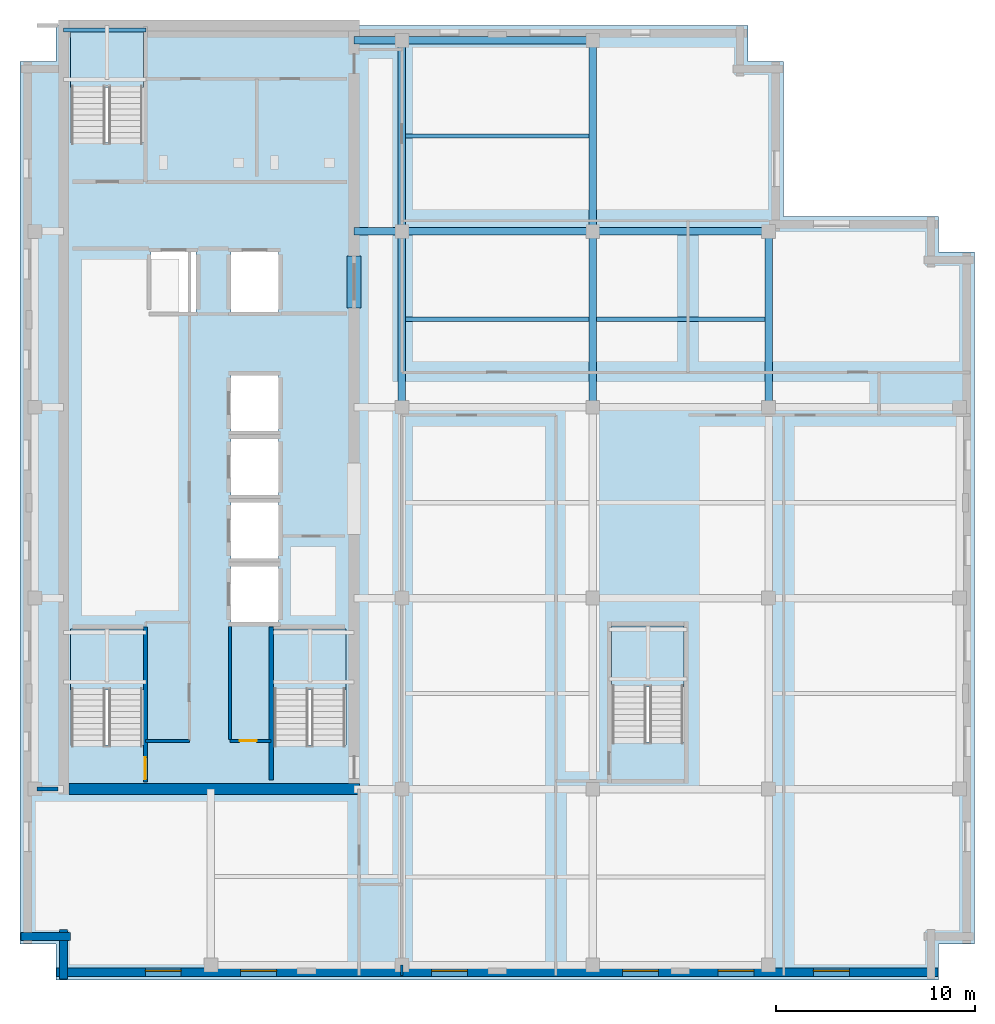
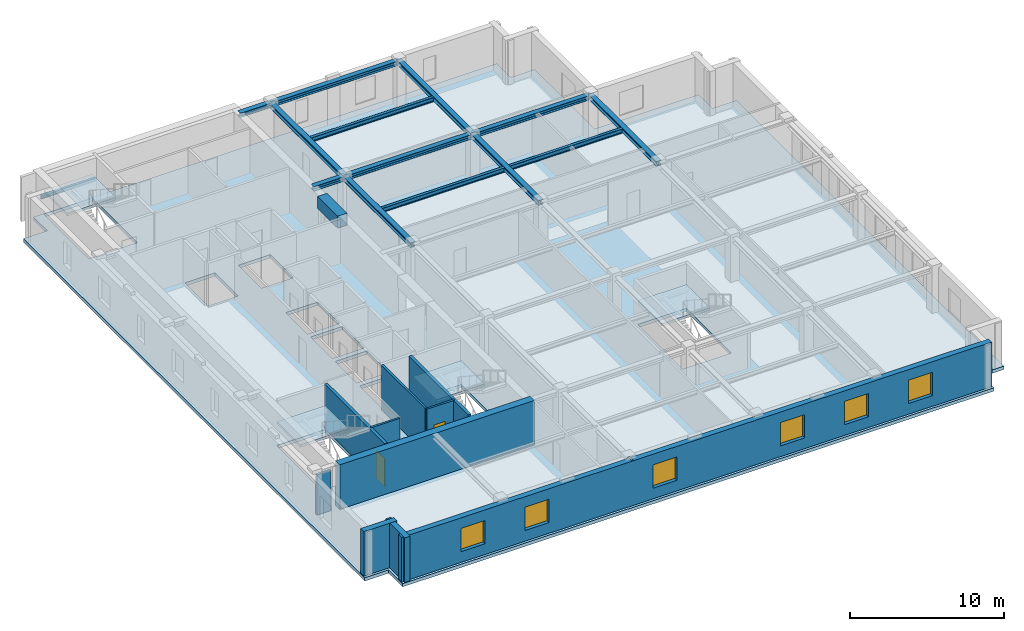
# One storey, part 2 of 10: 15 beams, 11 walls, 6 windows, 5 slabs, 2 doors, 8 openings, 4 elements without a shape of their own.
"""IFC4 building model written with IfcOpenShell, lengths in metres."""

from ifc_helpers import new_model, si_unit, direction, frame, frame_2d, origin, origin_2d, place, context, subcontext, project, spatial, polyline, rectangle, i_section, outline, extrude, material, layer, layer_set, material_profile, profile_set, type_object, element, fill, aggregate, save


model = new_model("IFC4")

# Units and contexts
model_context = context("Model", 3, precision=1e-05, world=origin(), true_north=direction((0.0, 1.0)))
body_context = subcontext(model_context, "Body", "Model", "MODEL_VIEW")
ifc_project = project(units=[si_unit("LENGTHUNIT", "METRE"), si_unit("AREAUNIT", "SQUARE_METRE"), si_unit("VOLUMEUNIT", "CUBIC_METRE"), si_unit("PLANEANGLEUNIT", "RADIAN"), si_unit("MASSUNIT", "GRAM", prefix="KILO")], contexts=[model_context])

# Site, building, storey
site_placement = place(None, origin())
site = spatial("IfcSite", under=ifc_project, at=site_placement, CompositionType="ELEMENT")
building_placement = place(site_placement, origin())
building = spatial("IfcBuilding", under=site, at=building_placement, Name="Norrvale University Quadrangle", CompositionType="ELEMENT")
storey_placement = place(building_placement, frame((0.0, 0.0, 296.199951171875)))
storey = spatial("IfcBuildingStorey", under=building, at=storey_placement, Name="L75", CompositionType="ELEMENT", Elevation=296.199951171875)

# Beams
ifc_material_1 = material(Name="Concrete C80/95", Category="concrete")
ifc_material_profile_1 = material_profile(ifc_material_1, rectangle(XDim=0.699951171875, YDim=0.949951171875, at=origin_2d()), Name="Concrete C80/95")
ifc_profile_set_1 = profile_set([ifc_material_profile_1], Name="Concrete C80/95")
beam_type_1 = type_object("IfcBeamType", Name="Beam Core Link 700x950", PredefinedType="LINTEL", material=ifc_profile_set_1)
beam_1_placement = place(storey_placement, frame((16.800048828125, 33.800048828125, 3.06494140625), z_axis=(0.0, 1.0, 0.0), x_axis=(-1.0, 0.0, 0.0)))
element("IfcBeam", 1, at=beam_1_placement, inside=storey, type_object=beam_type_1, Name="Core Coupling Lintel Beam L75-2", PredefinedType="LINTEL", context=body_context, shape_type="SweptSolid", body=[
    extrude(rectangle(XDim=0.699951171875, YDim=0.949951171875, at=origin_2d()), origin(), (0.0, 0.0, 1.0), 2.599853515625),
])
ifc_material_2 = material(Name="Steel 350W", Category="steel")
ifc_material_profile_2 = material_profile(ifc_material_2, i_section(OverallWidth=0.368896484375, OverallDepth=0.35595703125, WebThickness=0.01123046875, FlangeThickness=0.01806640625, FilletRadius=0.014892578125, at=origin_2d()), Name="Steel 350W")
ifc_profile_set_2 = profile_set([ifc_material_profile_2], Name="Steel 350W")
beam_type_2 = type_object("IfcBeamType", Name="Beam Crown W360x134", PredefinedType="BEAM", material=ifc_profile_set_2)
beam_2_placement = place(storey_placement, frame((19.199951171875, 37.64990234375, 3.362060546875), z_axis=(1.0, 0.0, 0.0), x_axis=(0.0, 1.0, 0.0)))
element("IfcBeam", 2, at=beam_2_placement, inside=storey, type_object=beam_type_2, Name="Beam Crown W360x134 BM-L75-GX013", PredefinedType="BEAM", context=body_context, shape_type="SweptSolid", body=[
    extrude(i_section(OverallWidth=0.368896484375, OverallDepth=0.35595703125, WebThickness=0.01123046875, FlangeThickness=0.01806640625, FilletRadius=0.014892578125, at=origin_2d()), origin(), (0.0, 0.0, 1.0), 9.60009765625),
])
beam_3_placement = place(storey_placement, frame((28.800048828125, 37.64990234375, 3.362060546875), z_axis=(1.0, 0.0, 0.0), x_axis=(0.0, 1.0, 0.0)))
element("IfcBeam", 3, at=beam_3_placement, inside=storey, type_object=beam_type_2, Name="Beam Crown W360x134 BM-L75-GX014", PredefinedType="BEAM", context=body_context, shape_type="SweptSolid", body=[
    extrude(i_section(OverallWidth=0.368896484375, OverallDepth=0.35595703125, WebThickness=0.01123046875, FlangeThickness=0.01806640625, FilletRadius=0.014892578125, at=origin_2d()), origin(), (0.0, 0.0, 1.0), 8.849853515625),
])
beam_4_placement = place(storey_placement, frame((19.199951171875, 47.25, 3.362060546875), z_axis=(1.0, 0.0, 0.0), x_axis=(0.0, 1.0, 0.0)))
element("IfcBeam", 4, at=beam_4_placement, inside=storey, type_object=beam_type_2, Name="Beam Crown W360x134 BM-L75-GX015", PredefinedType="BEAM", context=body_context, shape_type="SweptSolid", body=[
    extrude(i_section(OverallWidth=0.368896484375, OverallDepth=0.35595703125, WebThickness=0.01123046875, FlangeThickness=0.01806640625, FilletRadius=0.014892578125, at=origin_2d()), origin(), (0.0, 0.0, 1.0), 9.60009765625),
])
beam_5_placement = place(storey_placement, frame((19.199951171875, 28.800048828125, 3.362060546875), z_axis=(0.0, 1.0, 0.0), x_axis=(-1.0, 0.0, 0.0)))
element("IfcBeam", 5, at=beam_5_placement, inside=storey, type_object=beam_type_2, Name="Beam Crown W360x134 BM-L75-GY022", PredefinedType="BEAM", context=body_context, shape_type="SweptSolid", body=[
    extrude(i_section(OverallWidth=0.368896484375, OverallDepth=0.35595703125, WebThickness=0.01123046875, FlangeThickness=0.01806640625, FilletRadius=0.014892578125, at=origin_2d()), origin(), (0.0, 0.0, 1.0), 8.849853515625),
])
beam_6_placement = place(storey_placement, frame((19.199951171875, 37.64990234375, 3.362060546875), z_axis=(0.0, 1.0, 0.0), x_axis=(-1.0, 0.0, 0.0)))
element("IfcBeam", 6, at=beam_6_placement, inside=storey, type_object=beam_type_2, Name="Beam Crown W360x134 BM-L75-GY023", PredefinedType="BEAM", context=body_context, shape_type="SweptSolid", body=[
    extrude(i_section(OverallWidth=0.368896484375, OverallDepth=0.35595703125, WebThickness=0.01123046875, FlangeThickness=0.01806640625, FilletRadius=0.014892578125, at=origin_2d()), origin(), (0.0, 0.0, 1.0), 9.60009765625),
])
beam_7_placement = place(storey_placement, frame((28.800048828125, 28.800048828125, 3.362060546875), z_axis=(0.0, 1.0, 0.0), x_axis=(-1.0, 0.0, 0.0)))
element("IfcBeam", 7, at=beam_7_placement, inside=storey, type_object=beam_type_2, Name="Beam Crown W360x134 BM-L75-GY027", PredefinedType="BEAM", context=body_context, shape_type="SweptSolid", body=[
    extrude(i_section(OverallWidth=0.368896484375, OverallDepth=0.35595703125, WebThickness=0.01123046875, FlangeThickness=0.01806640625, FilletRadius=0.014892578125, at=origin_2d()), origin(), (0.0, 0.0, 1.0), 8.849853515625),
])
beam_8_placement = place(storey_placement, frame((28.800048828125, 37.64990234375, 3.362060546875), z_axis=(0.0, 1.0, 0.0), x_axis=(-1.0, 0.0, 0.0)))
element("IfcBeam", 8, at=beam_8_placement, inside=storey, type_object=beam_type_2, Name="Beam Crown W360x134 BM-L75-GY028", PredefinedType="BEAM", context=body_context, shape_type="SweptSolid", body=[
    extrude(i_section(OverallWidth=0.368896484375, OverallDepth=0.35595703125, WebThickness=0.01123046875, FlangeThickness=0.01806640625, FilletRadius=0.014892578125, at=origin_2d()), origin(), (0.0, 0.0, 1.0), 9.60009765625),
])
beam_9_placement = place(storey_placement, frame((37.64990234375, 28.800048828125, 3.362060546875), z_axis=(0.0, 1.0, 0.0), x_axis=(-1.0, 0.0, 0.0)))
element("IfcBeam", 9, at=beam_9_placement, inside=storey, type_object=beam_type_2, Name="Beam Crown W360x134 BM-L75-GY032", PredefinedType="BEAM", context=body_context, shape_type="SweptSolid", body=[
    extrude(i_section(OverallWidth=0.368896484375, OverallDepth=0.35595703125, WebThickness=0.01123046875, FlangeThickness=0.01806640625, FilletRadius=0.014892578125, at=origin_2d()), origin(), (0.0, 0.0, 1.0), 8.849853515625),
])
for number, where, z_axis, x_axis, name in (
    (10, (16.800048828125, 37.64990234375, 3.362060546875), (1.0, 0.0, 0.0), (0.0, 1.0, 0.0), "Beam Crown W360x134 BM-L75-GCE042"),
    (11, (16.800048828125, 47.25, 3.362060546875), (1.0, 0.0, 0.0), (0.0, 1.0, 0.0), "Beam Crown W360x134 BM-L75-GCE043"),
):
    element("IfcBeam", number, at=place(storey_placement, frame(where, z_axis=z_axis, x_axis=x_axis)), inside=storey, type_object=beam_type_2, Name=name, PredefinedType="BEAM", context=body_context, shape_type="SweptSolid", body=[
        extrude(i_section(OverallWidth=0.368896484375, OverallDepth=0.35595703125, WebThickness=0.01123046875, FlangeThickness=0.01806640625, FilletRadius=0.014892578125, at=origin_2d()), origin(), (0.0, 0.0, 1.0), 2.39990234375),
    ])
ifc_material_profile_3 = material_profile(ifc_material_2, i_section(OverallWidth=0.205078125, OverallDepth=0.35400390625, WebThickness=0.009521484375, FlangeThickness=0.016845703125, FilletRadius=0.011962890625, at=origin_2d()), Name="Steel 350W")
ifc_profile_set_3 = profile_set([ifc_material_profile_3], Name="Steel 350W")
beam_type_3 = type_object("IfcBeamType", Name="Beam Crown W360x79", PredefinedType="BEAM", material=ifc_profile_set_3)
for number, where, z_axis, x_axis, name in (
    (12, (19.384521484375, 33.22509765625, 3.363037109375), (1.0, 0.0, 0.0), (0.0, 1.0, 0.0), "Beam Crown W360x79 BM-L75-J047"),
    (13, (19.384521484375, 42.449951171875, 3.363037109375), (1.0, 0.0, 0.0), (0.0, 1.0, 0.0), "Beam Crown W360x79 BM-L75-J048"),
):
    element("IfcBeam", number, at=place(storey_placement, frame(where, z_axis=z_axis, x_axis=x_axis)), inside=storey, type_object=beam_type_3, Name=name, PredefinedType="BEAM", context=body_context, shape_type="SweptSolid", body=[
        extrude(i_section(OverallWidth=0.205078125, OverallDepth=0.35400390625, WebThickness=0.009521484375, FlangeThickness=0.016845703125, FilletRadius=0.011962890625, at=origin_2d()), origin(), (0.0, 0.0, 1.0), 9.23095703125),
    ])
beam_10_placement = place(storey_placement, frame((28.984619140625, 33.22509765625, 3.363037109375), z_axis=(1.0, 0.0, 0.0), x_axis=(0.0, 1.0, 0.0)))
element("IfcBeam", 14, at=beam_10_placement, inside=storey, type_object=beam_type_3, Name="Beam Crown W360x79 BM-L75-J051", PredefinedType="BEAM", context=body_context, shape_type="SweptSolid", body=[
    extrude(i_section(OverallWidth=0.205078125, OverallDepth=0.35400390625, WebThickness=0.009521484375, FlangeThickness=0.016845703125, FilletRadius=0.011962890625, at=origin_2d()), origin(), (0.0, 0.0, 1.0), 8.48095703125),
])
ifc_material_profile_4 = material_profile(ifc_material_2, i_section(OverallWidth=0.201904296875, OverallDepth=0.2470703125, WebThickness=0.00732421875, FlangeThickness=0.010986328125, FilletRadius=0.011962890625, at=origin_2d()), Name="Steel 350W")
ifc_profile_set_4 = profile_set([ifc_material_profile_4], Name="Steel 350W")
beam_type_4 = type_object("IfcBeamType", Name="Beam Stair W250x49", PredefinedType="BEAM", material=ifc_profile_set_4)
beam_11_placement = place(storey_placement, frame((2.199951171875, 47.77001953125, 1.57666015625), z_axis=(1.0, 0.0, 0.0), x_axis=(0.0, 1.0, 0.0)))
element("IfcBeam", 15, at=beam_11_placement, inside=storey, type_object=beam_type_4, Name="Stair Mid-Landing Rear Beam ST-02 L75", PredefinedType="BEAM", context=body_context, shape_type="SweptSolid", body=[
    extrude(i_section(OverallWidth=0.201904296875, OverallDepth=0.2470703125, WebThickness=0.00732421875, FlangeThickness=0.010986328125, FilletRadius=0.011962890625, at=origin_2d()), origin(), (0.0, 0.0, 1.0), 4.14013671875),
])

# Stair, slab
ifc_material_3 = material(Name="Concrete C40/50", Category="concrete")
stair_type = type_object("IfcStairType", Name="Stair Tower Typ 3800", PredefinedType="TWO_STRAIGHT_RUN_STAIR", material=ifc_material_3)
stair_1_placement = place(storey_placement, origin())
stair_1 = element("IfcStair", 16, at=stair_1_placement, inside=storey, type_object=stair_type, Name="Exit Stair ST-01 L75", PredefinedType="TWO_STRAIGHT_RUN_STAIR")
ifc_layer_1 = layer(ifc_material_3, 0.199951171875, Name="Concrete C40/50")
ifc_layer_set_1 = layer_set([ifc_layer_1], Name="Concrete C40/50")
slab_type_1 = type_object("IfcSlabType", Name="Slab Landing 200", PredefinedType="LANDING", material=ifc_layer_set_1)
slab_1_placement = place(storey_placement, frame((0.0, 0.0, 1.699951171875)))
slab_1 = element("IfcSlab", 17, at=slab_1_placement, type_object=slab_type_1, Name="Exit Stair ST-01 L75 Mid Landing", PredefinedType="LANDING", context=body_context, shape_type="SweptSolid", body=[
    extrude(outline(polyline([(2.550048828125, 14.590087890625), (6.199951171875, 14.590087890625), (6.199951171875, 17.64990234375), (2.550048828125, 17.64990234375), (2.550048828125, 14.590087890625)])), origin(), (0.0, 0.0, 1.0), 0.2001953125),
])
aggregate(stair_1, [slab_1])

stair_2_placement = place(storey_placement, origin())
stair_2 = element("IfcStair", 18, at=stair_2_placement, inside=storey, type_object=stair_type, Name="Exit Stair ST-02 L75", PredefinedType="TWO_STRAIGHT_RUN_STAIR")
slab_2_placement = place(storey_placement, frame((0.0, 0.0, 1.699951171875)))
slab_2 = element("IfcSlab", 19, at=slab_2_placement, type_object=slab_type_1, Name="Exit Stair ST-02 L75 Mid Landing", PredefinedType="LANDING", context=body_context, shape_type="SweptSolid", body=[
    extrude(outline(polyline([(2.550048828125, 44.889892578125), (6.199951171875, 44.889892578125), (6.199951171875, 47.949951171875), (2.550048828125, 47.949951171875), (2.550048828125, 44.889892578125)])), origin(), (0.0, 0.0, 1.0), 0.2001953125),
])
aggregate(stair_2, [slab_2])

stair_3_placement = place(storey_placement, origin())
stair_3 = element("IfcStair", 20, at=stair_3_placement, inside=storey, type_object=stair_type, Name="Exit Stair ST-03 L75", PredefinedType="TWO_STRAIGHT_RUN_STAIR")
slab_3_placement = place(storey_placement, frame((0.0, 0.0, 1.699951171875)))
slab_3 = element("IfcSlab", 21, at=slab_3_placement, type_object=slab_type_1, Name="Exit Stair ST-03 L75 Mid Landing", PredefinedType="LANDING", context=body_context, shape_type="SweptSolid", body=[
    extrude(outline(polyline([(12.75, 14.590087890625), (16.39990234375, 14.590087890625), (16.39990234375, 17.64990234375), (12.75, 17.64990234375), (12.75, 14.590087890625)])), origin(), (0.0, 0.0, 1.0), 0.2001953125),
])
aggregate(stair_3, [slab_3])

stair_4_placement = place(storey_placement, origin())
stair_4 = element("IfcStair", 22, at=stair_4_placement, inside=storey, type_object=stair_type, Name="Exit Stair ST-04 L75", PredefinedType="TWO_STRAIGHT_RUN_STAIR")
slab_4_placement = place(storey_placement, frame((0.0, 0.0, 1.699951171875)))
slab_4 = element("IfcSlab", 23, at=slab_4_placement, type_object=slab_type_1, Name="Exit Stair ST-04 L75 Mid Landing", PredefinedType="LANDING", context=body_context, shape_type="SweptSolid", body=[
    extrude(outline(polyline([(29.75, 14.739990234375), (33.39990234375, 14.739990234375), (33.39990234375, 17.800048828125), (29.75, 17.800048828125), (29.75, 14.739990234375)])), origin(), (0.0, 0.0, 1.0), 0.2001953125),
])
aggregate(stair_4, [slab_4])

# Slab
ifc_layer_2 = layer(ifc_material_3, 0.260009765625, Name="Concrete C40/50")
ifc_layer_set_2 = layer_set([ifc_layer_2], Name="Concrete C40/50")
slab_type_2 = type_object("IfcSlabType", Name="Slab Tower Typ 260", PredefinedType="FLOOR", material=ifc_layer_set_2)
slab_5_placement = place(storey_placement, frame((0.0, 0.0, -0.260009765625)))
element("IfcSlab", 24, at=slab_5_placement, inside=storey, type_object=slab_type_2, Name="Tower L75 Floor Slab", PredefinedType="FLOOR", context=body_context, shape_type="SweptSolid", body=[
    extrude(outline(polyline([(1.800048828125, 0.0), (46.199951171875, 0.0), (46.199951171875, 1.800048828125), (48.0, 1.800048828125), (48.0, 36.60009765625), (46.199951171875, 36.60009765625), (46.199951171875, 38.39990234375), (38.39990234375, 38.39990234375), (38.39990234375, 46.199951171875), (36.60009765625, 46.199951171875), (36.60009765625, 48.0), (1.800048828125, 48.0), (1.800048828125, 46.199951171875), (0.0, 46.199951171875), (0.0, 1.800048828125), (1.800048828125, 1.800048828125), (1.800048828125, 0.0)]), holes=[polyline([(2.550048828125, 11.81005859375), (6.199951171875, 11.81005859375), (6.199951171875, 17.64990234375), (2.550048828125, 17.64990234375), (2.550048828125, 11.81005859375)]), polyline([(2.550048828125, 42.110107421875), (6.199951171875, 42.110107421875), (6.199951171875, 47.949951171875), (2.550048828125, 47.949951171875), (2.550048828125, 42.110107421875)]), polyline([(12.75, 11.81005859375), (16.39990234375, 11.81005859375), (16.39990234375, 17.64990234375), (12.75, 17.64990234375), (12.75, 11.81005859375)]), polyline([(29.75, 11.9599609375), (33.39990234375, 11.9599609375), (33.39990234375, 17.800048828125), (29.75, 17.800048828125), (29.75, 11.9599609375)]), polyline([(10.60009765625, 18.0), (13.0, 18.0), (13.0, 20.800048828125), (10.60009765625, 20.800048828125), (10.60009765625, 18.0)]), polyline([(10.60009765625, 21.199951171875), (13.0, 21.199951171875), (13.0, 24.0), (10.60009765625, 24.0), (10.60009765625, 21.199951171875)]), polyline([(10.60009765625, 24.39990234375), (13.0, 24.39990234375), (13.0, 27.199951171875), (10.60009765625, 27.199951171875), (10.60009765625, 24.39990234375)]), polyline([(10.60009765625, 27.60009765625), (13.0, 27.60009765625), (13.0, 30.39990234375), (10.60009765625, 30.39990234375), (10.60009765625, 27.60009765625)]), polyline([(6.60009765625, 33.60009765625), (8.85009765625, 33.60009765625), (8.85009765625, 36.60009765625), (6.60009765625, 36.60009765625), (6.60009765625, 33.60009765625)]), polyline([(10.60009765625, 33.60009765625), (13.0, 33.60009765625), (13.0, 36.60009765625), (10.60009765625, 36.60009765625), (10.60009765625, 33.60009765625)])]), origin(), (0.0, 0.0, 1.0), 0.260009765625),
])

# Wall, openings, windows
ifc_material_4 = material(Name="Buff Norman Clay Brick Masonry", Category="masonry")
ifc_layer_3 = layer(ifc_material_4, 0.419921875, Name="Buff Norman Clay Brick Masonry")
ifc_layer_set_3 = layer_set([ifc_layer_3], Name="Buff Norman Clay Brick Masonry")
wall_type_1 = type_object("IfcWallType", Name="Wall Buff Brick 420", PredefinedType="SOLIDWALL", material=ifc_layer_set_3)
wall_1_placement = place(storey_placement, frame((1.840087890625, 0.389892578125, 0.0), z_axis=(0.0, 0.0, 1.0), x_axis=(1.0, 0.0, 0.0)))
wall_1 = element("IfcWall", 25, at=wall_1_placement, inside=storey, type_object=wall_type_1, Name="Exterior Brick Facade Wall L75-01.1", PredefinedType="SOLIDWALL", context=body_context, shape_type="SweptSolid", body=[
    extrude(rectangle(XDim=44.31982421875, YDim=0.419921875, at=frame_2d((22.159912109375, 0.0))), origin(), (0.0, 0.0, 1.0), 3.5400390625),
])
opening_1_placement = place(wall_1_placement, frame((4.4599609375, 0.0, 0.85009765625)))
opening_1 = element("IfcOpeningElement", 26, at=opening_1_placement, cuts=wall_1, Name="Opening W01", PredefinedType="OPENING", context=body_context, shape_type="SweptSolid", body=[
    extrude(rectangle(XDim=1.800048828125, YDim=1.85009765625, at=frame_2d((0.89990234375, 0.925048828125))), frame((0.0, 0.221923828125, 0.0), z_axis=(0.0, -1.0, 0.0), x_axis=(1.0, 0.0, 0.0)), (0.0, 0.0, 1.0), 0.44384765625),
])
opening_2_placement = place(wall_1_placement, frame((9.260009765625, 0.0, 0.85009765625)))
opening_2 = element("IfcOpeningElement", 27, at=opening_2_placement, cuts=wall_1, Name="Opening W01", PredefinedType="OPENING", context=body_context, shape_type="SweptSolid", body=[
    extrude(rectangle(XDim=1.800048828125, YDim=1.85009765625, at=frame_2d((0.89990234375, 0.925048828125))), frame((0.0, 0.221923828125, 0.0), z_axis=(0.0, -1.0, 0.0), x_axis=(1.0, 0.0, 0.0)), (0.0, 0.0, 1.0), 0.44384765625),
])
opening_3_placement = place(wall_1_placement, frame((18.860107421875, 0.0, 0.85009765625)))
opening_3 = element("IfcOpeningElement", 28, at=opening_3_placement, cuts=wall_1, Name="Opening W01", PredefinedType="OPENING", context=body_context, shape_type="SweptSolid", body=[
    extrude(rectangle(XDim=1.800048828125, YDim=1.85009765625, at=frame_2d((0.89990234375, 0.925048828125))), frame((0.0, 0.221923828125, 0.0), z_axis=(0.0, -1.0, 0.0), x_axis=(1.0, 0.0, 0.0)), (0.0, 0.0, 1.0), 0.44384765625),
])
opening_4_placement = place(wall_1_placement, frame((28.4599609375, 0.0, 0.85009765625)))
opening_4 = element("IfcOpeningElement", 29, at=opening_4_placement, cuts=wall_1, Name="Opening W01", PredefinedType="OPENING", context=body_context, shape_type="SweptSolid", body=[
    extrude(rectangle(XDim=1.800048828125, YDim=1.85009765625, at=frame_2d((0.89990234375, 0.925048828125))), frame((0.0, 0.221923828125, 0.0), z_axis=(0.0, -1.0, 0.0), x_axis=(1.0, 0.0, 0.0)), (0.0, 0.0, 1.0), 0.44384765625),
])
opening_5_placement = place(wall_1_placement, frame((33.260009765625, 0.0, 0.85009765625)))
opening_5 = element("IfcOpeningElement", 30, at=opening_5_placement, cuts=wall_1, Name="Opening W01", PredefinedType="OPENING", context=body_context, shape_type="SweptSolid", body=[
    extrude(rectangle(XDim=1.800048828125, YDim=1.85009765625, at=frame_2d((0.89990234375, 0.925048828125))), frame((0.0, 0.221923828125, 0.0), z_axis=(0.0, -1.0, 0.0), x_axis=(1.0, 0.0, 0.0)), (0.0, 0.0, 1.0), 0.44384765625),
])
opening_6_placement = place(wall_1_placement, frame((38.06005859375, 0.0, 0.85009765625)))
opening_6 = element("IfcOpeningElement", 31, at=opening_6_placement, cuts=wall_1, Name="Opening W01", PredefinedType="OPENING", context=body_context, shape_type="SweptSolid", body=[
    extrude(rectangle(XDim=1.800048828125, YDim=1.85009765625, at=frame_2d((0.89990234375, 0.925048828125))), frame((0.0, 0.221923828125, 0.0), z_axis=(0.0, -1.0, 0.0), x_axis=(1.0, 0.0, 0.0)), (0.0, 0.0, 1.0), 0.44384765625),
])
ifc_material_5 = material(Name="Triple Low-E Argon Glazing", Category="glass")
window_type = type_object("IfcWindowType", Name="Window Academic 1800x2300", PartitioningType="DOUBLE_PANEL_VERTICAL", PredefinedType="WINDOW", material=ifc_material_5)
window_1_placement = place(opening_1_placement, origin())
window_1 = element("IfcWindow", 32, at=window_1_placement, inside=storey, type_object=window_type, Name="Window Academic 1800x2300 WIN-L75-E01-1-01", OverallHeight=1.85009765625, OverallWidth=1.800048828125, PartitioningType="DOUBLE_PANEL_VERTICAL", PredefinedType="WINDOW", context=body_context, shape_type="SweptSolid", body=[
    extrude(rectangle(XDim=1.800048828125, YDim=1.85009765625, at=frame_2d((0.89990234375, 0.925048828125))), frame((0.0, 0.110107421875, 0.0), z_axis=(0.0, -1.0, 0.0), x_axis=(1.0, 0.0, 0.0)), (0.0, 0.0, 1.0), 0.06005859375),
])
fill(opening_1, window_1)
window_2_placement = place(opening_2_placement, origin())
window_2 = element("IfcWindow", 33, at=window_2_placement, inside=storey, type_object=window_type, Name="Window Academic 1800x2300 WIN-L75-E01-1-02", OverallHeight=1.85009765625, OverallWidth=1.800048828125, PartitioningType="DOUBLE_PANEL_VERTICAL", PredefinedType="WINDOW", context=body_context, shape_type="SweptSolid", body=[
    extrude(rectangle(XDim=1.800048828125, YDim=1.85009765625, at=frame_2d((0.89990234375, 0.925048828125))), frame((0.0, 0.110107421875, 0.0), z_axis=(0.0, -1.0, 0.0), x_axis=(1.0, 0.0, 0.0)), (0.0, 0.0, 1.0), 0.06005859375),
])
fill(opening_2, window_2)
window_3_placement = place(opening_3_placement, origin())
window_3 = element("IfcWindow", 34, at=window_3_placement, inside=storey, type_object=window_type, Name="Window Academic 1800x2300 WIN-L75-E01-1-03", OverallHeight=1.85009765625, OverallWidth=1.800048828125, PartitioningType="DOUBLE_PANEL_VERTICAL", PredefinedType="WINDOW", context=body_context, shape_type="SweptSolid", body=[
    extrude(rectangle(XDim=1.800048828125, YDim=1.85009765625, at=frame_2d((0.89990234375, 0.925048828125))), frame((0.0, 0.110107421875, 0.0), z_axis=(0.0, -1.0, 0.0), x_axis=(1.0, 0.0, 0.0)), (0.0, 0.0, 1.0), 0.06005859375),
])
fill(opening_3, window_3)
window_4_placement = place(opening_4_placement, origin())
window_4 = element("IfcWindow", 35, at=window_4_placement, inside=storey, type_object=window_type, Name="Window Academic 1800x2300 WIN-L75-E01-1-04", OverallHeight=1.85009765625, OverallWidth=1.800048828125, PartitioningType="DOUBLE_PANEL_VERTICAL", PredefinedType="WINDOW", context=body_context, shape_type="SweptSolid", body=[
    extrude(rectangle(XDim=1.800048828125, YDim=1.85009765625, at=frame_2d((0.89990234375, 0.925048828125))), frame((0.0, 0.110107421875, 0.0), z_axis=(0.0, -1.0, 0.0), x_axis=(1.0, 0.0, 0.0)), (0.0, 0.0, 1.0), 0.06005859375),
])
fill(opening_4, window_4)
window_5_placement = place(opening_5_placement, origin())
window_5 = element("IfcWindow", 36, at=window_5_placement, inside=storey, type_object=window_type, Name="Window Academic 1800x2300 WIN-L75-E01-1-05", OverallHeight=1.85009765625, OverallWidth=1.800048828125, PartitioningType="DOUBLE_PANEL_VERTICAL", PredefinedType="WINDOW", context=body_context, shape_type="SweptSolid", body=[
    extrude(rectangle(XDim=1.800048828125, YDim=1.85009765625, at=frame_2d((0.89990234375, 0.925048828125))), frame((0.0, 0.110107421875, 0.0), z_axis=(0.0, -1.0, 0.0), x_axis=(1.0, 0.0, 0.0)), (0.0, 0.0, 1.0), 0.06005859375),
])
fill(opening_5, window_5)
window_6_placement = place(opening_6_placement, origin())
window_6 = element("IfcWindow", 37, at=window_6_placement, inside=storey, type_object=window_type, Name="Window Academic 1800x2300 WIN-L75-E01-1-06", OverallHeight=1.85009765625, OverallWidth=1.800048828125, PartitioningType="DOUBLE_PANEL_VERTICAL", PredefinedType="WINDOW", context=body_context, shape_type="SweptSolid", body=[
    extrude(rectangle(XDim=1.800048828125, YDim=1.85009765625, at=frame_2d((0.89990234375, 0.925048828125))), frame((0.0, 0.110107421875, 0.0), z_axis=(0.0, -1.0, 0.0), x_axis=(1.0, 0.0, 0.0)), (0.0, 0.0, 1.0), 0.06005859375),
])
fill(opening_6, window_6)

# Walls
for number, where, z_axis, x_axis, name in (
    (38, (0.0400390625, 2.18994140625, 0.0), (0.0, 0.0, 1.0), (1.0, 0.0, 0.0), "Exterior Brick Facade Wall L75-15.1"),
    (39, (2.18994140625, 2.5400390625, 0.0), (0.0, 0.0, 1.0), (0.0, -1.0, 0.0), "Exterior Brick Facade Wall L75-16.1"),
):
    element("IfcWall", number, at=place(storey_placement, frame(where, z_axis=z_axis, x_axis=x_axis)), inside=storey, type_object=wall_type_1, Name=name, PredefinedType="SOLIDWALL", context=body_context, shape_type="SweptSolid", body=[
        extrude(rectangle(XDim=2.5, YDim=0.419921875, at=frame_2d((1.25, 0.0))), origin(), (0.0, 0.0, 1.0), 3.5400390625),
    ])
ifc_material_6 = material(Name="Concrete C60/75", Category="concrete")
ifc_layer_4 = layer(ifc_material_6, 0.550048828125, Name="Concrete C60/75")
ifc_layer_set_4 = layer_set([ifc_layer_4], Name="Concrete C60/75")
wall_type_2 = type_object("IfcWallType", Name="Wall Core 550", PredefinedType="SHEAR", material=ifc_layer_set_4)
wall_2_placement = place(storey_placement, frame((2.47509765625, 9.60009765625, 0.0), z_axis=(0.0, 0.0, 1.0), x_axis=(1.0, 0.0, 0.0)))
element("IfcWall", 40, at=wall_2_placement, inside=storey, type_object=wall_type_2, Name="Tower Core Shear Wall L75-S", PredefinedType="SHEAR", context=body_context, shape_type="SweptSolid", body=[
    extrude(rectangle(XDim=14.599853515625, YDim=0.550048828125, at=frame_2d((7.2998046875, 0.0))), origin(), (0.0, 0.0, 1.0), 3.5400390625),
])
ifc_material_7 = material(Name="Standard Academic Gypsum Partition")
ifc_layer_5 = layer(ifc_material_7, 0.125, Name="Standard Academic Gypsum Partition")
ifc_layer_set_5 = layer_set([ifc_layer_5], Name="Standard Academic Gypsum Partition")
wall_type_3 = type_object("IfcWallType", Name="Wall Gypsum Academic 125", PredefinedType="PARTITIONING", material=ifc_layer_set_5)
wall_3_placement = place(storey_placement, frame((19.199951171875, 0.219970703125, 0.0), z_axis=(0.0, 0.0, 1.0), x_axis=(0.0, 1.0, 0.0)))
element("IfcWall", 41, at=wall_3_placement, inside=storey, type_object=wall_type_3, Name="Interior Partition WL-L75-SE-W0", PredefinedType="PARTITIONING", context=body_context, shape_type="SweptSolid", body=[
    extrude(rectangle(XDim=0.530029296875, YDim=0.125, at=frame_2d((0.26513671875, 0.0))), origin(), (0.0, 0.0, 1.0), 3.5400390625),
])

# Wall, opening, door
ifc_material_8 = material(Name="Fire-Rated Gypsum Stud Partition")
ifc_layer_6 = layer(ifc_material_8, 0.14990234375, Name="Fire-Rated Gypsum Stud Partition")
ifc_layer_set_6 = layer_set([ifc_layer_6], Name="Fire-Rated Gypsum Stud Partition")
wall_type_4 = type_object("IfcWallType", Name="Wall Gypsum Corridor 150", PredefinedType="PARTITIONING", material=ifc_layer_set_6)
wall_4_placement = place(storey_placement, frame((10.550048828125, 12.02001953125, 0.0), z_axis=(0.0, 0.0, 1.0), x_axis=(1.0, 0.0, 0.0)))
wall_4 = element("IfcWall", 42, at=wall_4_placement, inside=storey, type_object=wall_type_4, Name="Interior Partition WL-L75-SC-NR", PredefinedType="PARTITIONING", context=body_context, shape_type="SweptSolid", body=[
    extrude(rectangle(XDim=2.079833984375, YDim=0.14990234375, at=frame_2d((1.0400390625, 0.0))), origin(), (0.0, 0.0, 1.0), 3.5400390625),
])
opening_7_placement = place(wall_4_placement, frame((0.5, 0.0, 0.0)))
opening_7 = element("IfcOpeningElement", 43, at=opening_7_placement, cuts=wall_4, Name="Opening D10", PredefinedType="OPENING", context=body_context, shape_type="SweptSolid", body=[
    extrude(rectangle(XDim=0.85009765625, YDim=2.10009765625, at=frame_2d((0.425048828125, 1.050048828125))), frame((0.0, 0.0869140625, 0.0), z_axis=(0.0, -1.0, 0.0), x_axis=(1.0, 0.0, 0.0)), (0.0, 0.0, 1.0), 0.173828125),
])
ifc_material_9 = material(Name="Hollow Steel 350W Riser Fire Door", Category="steel")
door_type_1 = type_object("IfcDoorType", Name="Door Riser 850x2100", OperationType="NOTDEFINED", PredefinedType="DOOR", material=ifc_material_9)
door_1_placement = place(opening_7_placement, origin())
door_1 = element("IfcDoor", 44, at=door_1_placement, inside=storey, type_object=door_type_1, Name="Door Riser 850x2100 DR-L75-IDF", OperationType="SINGLE_SWING_RIGHT", OverallHeight=2.10009765625, OverallWidth=0.85009765625, PredefinedType="DOOR", context=body_context, shape_type="SweptSolid", body=[
    extrude(rectangle(XDim=0.85009765625, YDim=2.10009765625, at=frame_2d((0.425048828125, 1.050048828125))), frame((0.0, 0.02490234375, 0.0), z_axis=(0.0, -1.0, 0.0), x_axis=(1.0, 0.0, 0.0)), (0.0, 0.0, 1.0), 0.050048828125),
])
fill(opening_7, door_1)

# Walls
wall_5_placement = place(storey_placement, frame((10.550048828125, 12.094970703125, 0.0), z_axis=(0.0, 0.0, 1.0), x_axis=(0.0, 1.0, 0.0)))
element("IfcWall", 45, at=wall_5_placement, inside=storey, type_object=wall_type_4, Name="Interior Partition WL-L75-SC-WR", PredefinedType="PARTITIONING", context=body_context, shape_type="SweptSolid", body=[
    extrude(rectangle(XDim=5.679931640625, YDim=0.14990234375, at=frame_2d((2.83984375, 0.0))), origin(), (0.0, 0.0, 1.0), 3.5400390625),
])
wall_6_placement = place(storey_placement, frame((6.320068359375, 12.02001953125, 0.0), z_axis=(0.0, 0.0, 1.0), x_axis=(1.0, 0.0, 0.0)))
element("IfcWall", 46, at=wall_6_placement, inside=storey, type_object=wall_type_4, Name="Interior Partition WL-L75-REC-S", PredefinedType="PARTITIONING", context=body_context, shape_type="SweptSolid", body=[
    extrude(rectangle(XDim=2.199951171875, YDim=0.14990234375, at=frame_2d((1.10009765625, 0.0))), origin(), (0.0, 0.0, 1.0), 3.5400390625),
])
ifc_material_10 = material(Name="Concrete Blockwork 20 MPa Rated Wall", Category="masonry")
ifc_layer_7 = layer(ifc_material_10, 0.199951171875, Name="Concrete Blockwork 20 MPa Rated Wall")
ifc_layer_set_7 = layer_set([ifc_layer_7], Name="Concrete Blockwork 20 MPa Rated Wall")
wall_type_5 = type_object("IfcWallType", Name="Wall Lobby 200", PredefinedType="SOLIDWALL", material=ifc_layer_set_7)
wall_7_placement = place(storey_placement, frame((0.85009765625, 9.60009765625, 0.0), z_axis=(0.0, 0.0, 1.0), x_axis=(1.0, 0.0, 0.0)))
element("IfcWall", 47, at=wall_7_placement, inside=storey, type_object=wall_type_5, Name="Interior Partition WL-L75-CWRET-S", PredefinedType="SOLIDWALL", context=body_context, shape_type="SweptSolid", body=[
    extrude(rectangle(XDim=1.06982421875, YDim=0.199951171875, at=frame_2d((0.534912109375, 0.0))), origin(), (0.0, 0.0, 1.0), 3.18408203125),
])

# Wall, opening, door
ifc_material_11 = material(Name="Concrete Blockwork 20 MPa Fire Shaft", Category="masonry")
ifc_layer_8 = layer(ifc_material_11, 0.219970703125, Name="Concrete Blockwork 20 MPa Fire Shaft")
ifc_layer_set_8 = layer_set([ifc_layer_8], Name="Concrete Blockwork 20 MPa Fire Shaft")
wall_type_6 = type_object("IfcWallType", Name="Wall Shaft 220", PredefinedType="SOLIDWALL", material=ifc_layer_set_8)
wall_8_placement = place(storey_placement, frame((6.31005859375, 9.949951171875, 0.0), z_axis=(0.0, 0.0, 1.0), x_axis=(0.0, 1.0, 0.0)))
wall_8 = element("IfcWall", 48, at=wall_8_placement, inside=storey, type_object=wall_type_6, Name="Stair ST-01 East Shaft Wall L75", PredefinedType="SOLIDWALL", context=body_context, shape_type="SweptSolid", body=[
    extrude(rectangle(XDim=7.81005859375, YDim=0.219970703125, at=frame_2d((3.905029296875, 0.0))), origin(), (0.0, 0.0, 1.0), 3.5400390625),
])
opening_8_placement = place(wall_8_placement, frame((0.139892578125, 0.0, 0.0)))
opening_8 = element("IfcOpeningElement", 49, at=opening_8_placement, cuts=wall_8, Name="Opening D02", PredefinedType="OPENING", context=body_context, shape_type="SweptSolid", body=[
    extrude(rectangle(XDim=1.10009765625, YDim=2.199951171875, at=frame_2d((0.550048828125, 1.10009765625))), frame((0.0, 0.1220703125, 0.0), z_axis=(0.0, -1.0, 0.0), x_axis=(1.0, 0.0, 0.0)), (0.0, 0.0, 1.0), 0.243896484375),
])
ifc_material_12 = material(Name="Hollow Steel 350W Fire Door", Category="steel")
door_type_2 = type_object("IfcDoorType", Name="Door Stair Exit 1100x2200", OperationType="NOTDEFINED", PredefinedType="DOOR", material=ifc_material_12)
door_2_placement = place(opening_8_placement, origin())
door_2 = element("IfcDoor", 50, at=door_2_placement, inside=storey, type_object=door_type_2, Name="Door Stair Exit 1100x2200 DR-L75-ST01", OperationType="SINGLE_SWING_LEFT", OverallHeight=2.199951171875, OverallWidth=1.10009765625, PredefinedType="DOOR", context=body_context, shape_type="SweptSolid", body=[
    extrude(rectangle(XDim=1.10009765625, YDim=2.199951171875, at=frame_2d((0.550048828125, 1.10009765625))), frame((0.0, 0.02490234375, 0.0), z_axis=(0.0, -1.0, 0.0), x_axis=(1.0, 0.0, 0.0)), (0.0, 0.0, 1.0), 0.050048828125),
])
fill(opening_8, door_2)

# Wall
wall_9_placement = place(storey_placement, frame((12.639892578125, 10.050048828125, 0.0), z_axis=(0.0, 0.0, 1.0), x_axis=(0.0, 1.0, 0.0)))
element("IfcWall", 51, at=wall_9_placement, inside=storey, type_object=wall_type_6, Name="Stair ST-03 West Shaft Wall L75", PredefinedType="SOLIDWALL", context=body_context, shape_type="SweptSolid", body=[
    extrude(rectangle(XDim=7.7099609375, YDim=0.219970703125, at=frame_2d((3.85498046875, 0.0))), origin(), (0.0, 0.0, 1.0), 3.5400390625),
])

save(model, "model.ifc")
